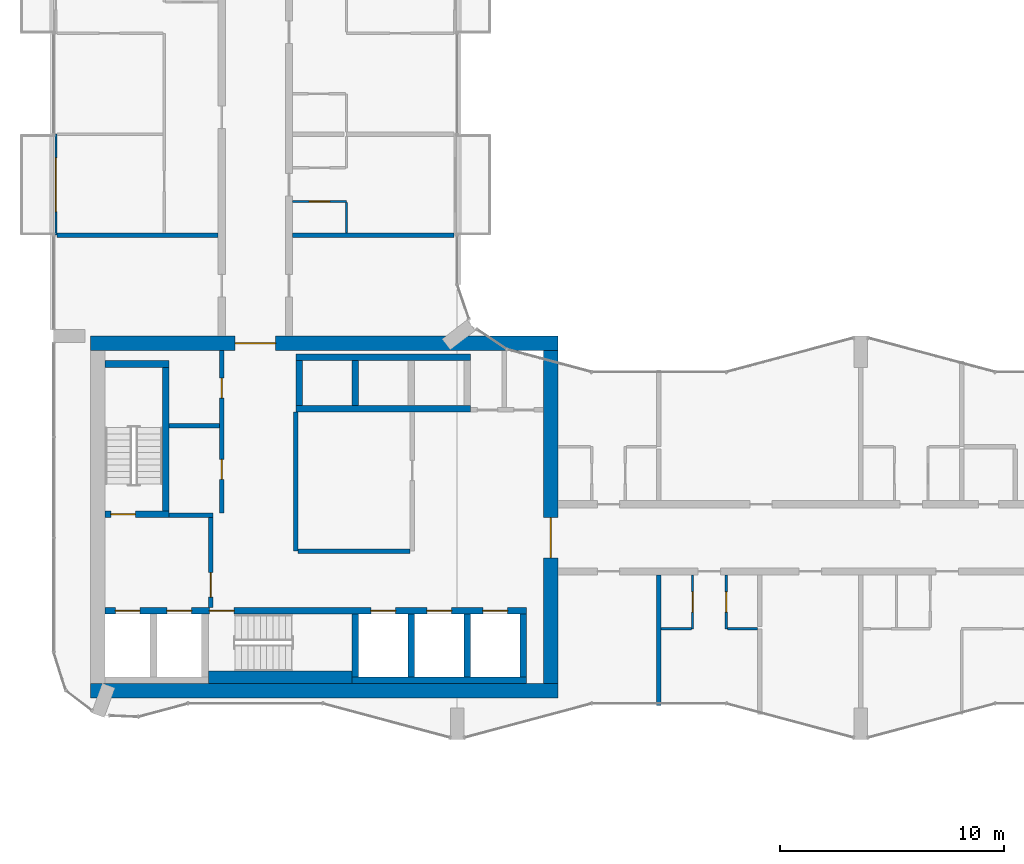
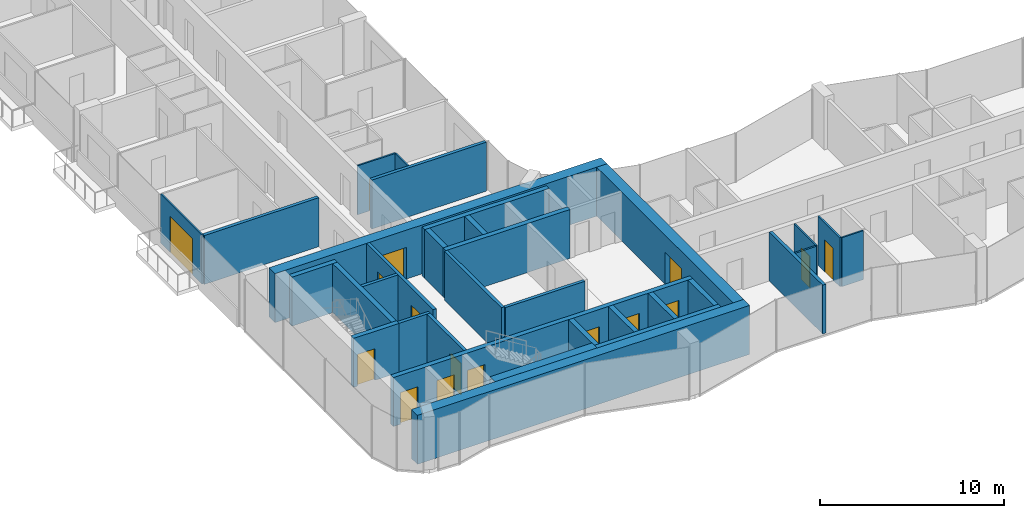
# One storey, part 13 of 22: 33 walls, 16 doors, 16 openings.
"""IFC4 building model written with IfcOpenShell, lengths in metres."""

import ifcopenshell
import ifcopenshell.guid

model = None  # the IFC model being written
_history = None  # IfcOwnerHistory: only IFC2X3 demands one
_inside = {}  # id of a spatial element -> (the spatial element, [elements in it])
_under = {}  # id of a project, library or spatial element -> (it, [spatial elements below it])
_declared = {}  # id of a project -> (the project, [libraries it declares])
_typed = {}  # id of a type object -> (the type object, [elements of that type])
_made_of = {}  # id of a material, layer set ... -> (it, [elements and type objects made of it])


def new_model(schema):
    """Start an empty IFC model of exactly this schema.

    Asked for "IFC4X3", IfcOpenShell would pick the latest addendum, in which some entities
    have other attributes; the version numbers below select the first issue.
    IFC2X3 requires an IfcOwnerHistory on every rooted entity: one is made here for all.
    """
    global model, _history
    if schema == "IFC4X3":
        model = ifcopenshell.file(schema_version=(4, 3, 0, 0))
    else:
        model = ifcopenshell.file(schema=schema)
    _inside.clear()
    _under.clear()
    _declared.clear()
    _typed.clear()
    _made_of.clear()
    _history = None
    if model.schema == "IFC2X3":
        org = make("IfcOrganization", Name="unknown")
        user = make(
            "IfcPersonAndOrganization",
            ThePerson=make("IfcPerson", FamilyName="unknown"),
            TheOrganization=org,
        )
        app = make(
            "IfcApplication",
            ApplicationDeveloper=org,
            Version="unknown",
            ApplicationFullName="unknown",
            ApplicationIdentifier="unknown",
        )
        _history = make(
            "IfcOwnerHistory",
            OwningUser=user,
            OwningApplication=app,
            ChangeAction="ADDED",
            CreationDate=0,
        )
    return model


def make(cls, **values):
    """One entity of the class cls with the attributes given. An attribute that is None is left unset."""
    return model.create_entity(
        cls, **{name: value for name, value in values.items() if value is not None}
    )


def rooted(cls, **values):
    """An entity with a GlobalId (a new one), such as an element, a storey or a relation."""
    return make(cls, GlobalId=ifcopenshell.guid.new(), OwnerHistory=_history, **values)


def si_unit(unit_type, name, prefix=None):
    """IfcSIUnit, for example si_unit("LENGTHUNIT", "METRE", prefix="MILLI")."""
    return make("IfcSIUnit", UnitType=unit_type, Prefix=prefix, Name=name)


def assignment(units):
    """IfcUnitAssignment: the units of a project."""
    return None if units is None else make("IfcUnitAssignment", Units=units)


def point(xyz):
    """IfcCartesianPoint."""
    return None if xyz is None else make("IfcCartesianPoint", Coordinates=xyz)


def direction(xyz):
    """IfcDirection."""
    return None if xyz is None else make("IfcDirection", DirectionRatios=xyz)


def frame(location, z_axis=None, x_axis=None):
    """IfcAxis2Placement3D, a coordinate frame: its origin and axes. An axis left out is left unset."""
    return make(
        "IfcAxis2Placement3D",
        Location=point(location),
        Axis=direction(z_axis),
        RefDirection=direction(x_axis),
    )


def frame_2d(location, x_axis=None):
    """IfcAxis2Placement2D, a coordinate frame in the plane: its origin and x axis."""
    return make(
        "IfcAxis2Placement2D", Location=point(location), RefDirection=direction(x_axis)
    )


def origin():
    """The frame at (0, 0, 0) with its axes left unset."""
    return frame((0.0, 0.0, 0.0))


def place(relative_to, where):
    """IfcLocalPlacement: puts the frame where relative to a parent placement (None: the world)."""
    return make(
        "IfcLocalPlacement", PlacementRelTo=relative_to, RelativePlacement=where
    )


def context(
    kind, dimensions, precision=None, world=None, true_north=None, identifier=None
):
    """IfcGeometricRepresentationContext, for example the 3D "Model" context."""
    return make(
        "IfcGeometricRepresentationContext",
        ContextIdentifier=identifier,
        ContextType=kind,
        CoordinateSpaceDimension=dimensions,
        Precision=precision,
        WorldCoordinateSystem=world,
        TrueNorth=true_north,
    )


def subcontext(parent, identifier, kind, view, scale=None):
    """IfcGeometricRepresentationSubContext, for example "Body" below "Model"."""
    return make(
        "IfcGeometricRepresentationSubContext",
        ContextIdentifier=identifier,
        ContextType=kind,
        ParentContext=parent,
        TargetScale=scale,
        TargetView=view,
    )


def project(units=None, contexts=None):
    """IfcProject with its units and contexts."""
    return rooted(
        "IfcProject",
        Name="project",
        RepresentationContexts=contexts,
        UnitsInContext=assignment(units),
    )


def spatial(cls, under=None, at=None, **own):
    """A site, building, storey or space (cls), placed at a placement, below another one or the project."""
    s = rooted(cls, ObjectPlacement=at, **own)
    if under is not None:
        _under.setdefault(under.id(), (under, []))[1].append(s)
    return s


def profile(cls, at=None, kind="AREA", **sizes):
    """A parametric profile (cls). Its sizes go by their IFC names, for example OverallWidth=200.0."""
    return make(cls, ProfileType=kind, Position=at, **sizes)


def rectangle(**sizes):
    """IfcRectangleProfileDef."""
    return profile("IfcRectangleProfileDef", **sizes)


def extrude(swept, where, along, depth):
    """IfcExtrudedAreaSolid: the profile swept, set in the frame where, extruded along a direction by depth."""
    return make(
        "IfcExtrudedAreaSolid",
        SweptArea=swept,
        Position=where,
        ExtrudedDirection=direction(along),
        Depth=depth,
    )


def shape(context_of_items, identifier, shape_type, items):
    """IfcShapeRepresentation: the items that make up one representation, for example the "Body"."""
    return make(
        "IfcShapeRepresentation",
        ContextOfItems=context_of_items,
        RepresentationIdentifier=identifier,
        RepresentationType=shape_type,
        Items=items,
    )


def material(Name=None, Category=None):
    """IfcMaterial."""
    return make("IfcMaterial", Name=Name, Category=Category)


def layer(
    of_material, thickness, ventilated=None, Name=None, Category=None, Priority=None
):
    """IfcMaterialLayer: one layer of a wall or slab, of a material (None: an air gap)."""
    return make(
        "IfcMaterialLayer",
        Material=of_material,
        LayerThickness=thickness,
        IsVentilated=ventilated,
        Name=Name,
        Category=Category,
        Priority=Priority,
    )


def layer_set(layers, Name=None):
    """IfcMaterialLayerSet."""
    return make("IfcMaterialLayerSet", MaterialLayers=layers, LayerSetName=Name)


def made_of(thing, what):
    """Note that an element or type object is made of a material, layer set ...; save() writes the relation."""
    if what is not None:
        _made_of.setdefault(what.id(), (what, []))[1].append(thing)
    return thing


def type_object(cls, material=None, **own):
    """A type object (cls), such as IfcWallType, which elements share."""
    return made_of(rooted(cls, **own), material)


def element(
    cls,
    number,
    at=None,
    inside=None,
    cuts=None,
    type_object=None,
    material=None,
    context=None,
    identifier="Body",
    shape_type=None,
    held_by="IfcProductDefinitionShape",
    body=None,
    shapes=None,
    **own,
):
    """One element of the class cls, such as IfcWall. Its Tag is "e" and its number.

    at: its placement. inside: the storey or other place that contains it. cuts: it is an
    opening in that element (IfcRelVoidsElement). A single representation is given by context,
    identifier, shape_type and body (its items); several are given by shapes. held_by: the class
    of the entity that holds the representations. save() writes the other relations.
    """
    e = rooted(cls, Tag="e%d" % number, ObjectPlacement=at, **own)
    if body is not None:
        shapes = [shape(context, identifier, shape_type, body)]
    if shapes is not None:
        e.Representation = make(held_by, Representations=shapes)
    if inside is not None:
        _inside.setdefault(inside.id(), (inside, []))[1].append(e)
    if cuts is not None:
        rooted(
            "IfcRelVoidsElement", RelatingBuildingElement=cuts, RelatedOpeningElement=e
        )
    if type_object is not None:
        _typed.setdefault(type_object.id(), (type_object, []))[1].append(e)
    return made_of(e, material)


def fill(opening, filler):
    """IfcRelFillsElement: the door or window that sits in an opening."""
    return rooted(
        "IfcRelFillsElement",
        RelatingOpeningElement=opening,
        RelatedBuildingElement=filler,
    )


def aggregate(whole, parts):
    """IfcRelAggregates: a whole, such as a stair, and the parts it consists of."""
    return rooted("IfcRelAggregates", RelatingObject=whole, RelatedObjects=parts)


def save(model, path):
    """Write the relations noted so far, then the file.

    IfcRelAggregates (storeys below a building ...), IfcRelContainedInSpatialStructure (elements
    in a storey), IfcRelDefinesByType, IfcRelAssociatesMaterial and IfcRelDeclares: one each for
    every whole, place, type object, material and project.
    """
    for whole, parts in _under.values():
        aggregate(whole, parts)
    for where, things in _inside.values():
        rooted(
            "IfcRelContainedInSpatialStructure",
            RelatedElements=things,
            RelatingStructure=where,
        )
    for kind, things in _typed.values():
        rooted("IfcRelDefinesByType", RelatedObjects=things, RelatingType=kind)
    for what, things in _made_of.values():
        rooted("IfcRelAssociatesMaterial", RelatedObjects=things, RelatingMaterial=what)
    for by, libraries in _declared.values():
        rooted("IfcRelDeclares", RelatingContext=by, RelatedDefinitions=libraries)
    model.write(path)


model = new_model("IFC4")

# Units and contexts
model_context = context("Model", 3, precision=1e-05, world=origin(), true_north=direction((0.0, 1.0)))
body_context = subcontext(model_context, "Body", "Model", "MODEL_VIEW")
ifc_project = project(units=[si_unit("LENGTHUNIT", "METRE"), si_unit("AREAUNIT", "SQUARE_METRE"), si_unit("VOLUMEUNIT", "CUBIC_METRE"), si_unit("PLANEANGLEUNIT", "RADIAN"), si_unit("MASSUNIT", "GRAM", prefix="KILO")], contexts=[model_context])

# Site, building, storey
site_placement = place(None, origin())
site = spatial("IfcSite", under=ifc_project, at=site_placement, CompositionType="ELEMENT")
building_placement = place(site_placement, origin())
building = spatial("IfcBuilding", under=site, at=building_placement, Name="Plateau Cross Towers", CompositionType="ELEMENT")
storey_placement = place(building_placement, frame((0.0, 0.0, 116.800048828125)))
storey = spatial("IfcBuildingStorey", under=building, at=storey_placement, Name="L30", CompositionType="ELEMENT", Elevation=116.800048828125)

# Wall, opening, door
ifc_material_1 = material(Name="Aluminium framed glazing", Category="aluminium")
ifc_layer_1 = layer(ifc_material_1, 0.10009765625)
ifc_layer_set_1 = layer_set([ifc_layer_1], Name="Aluminium framed glazing")
wall_type_1 = type_object("IfcWallType", Name="Balcony screen wall 100", PredefinedType="STANDARD", material=ifc_layer_set_1)
wall_1_placement = place(storey_placement, frame((0.10009765625, 22.5, 0.0), z_axis=(0.0, 0.0, 1.0), x_axis=(0.0, 1.0, 0.0)))
wall_1 = element("IfcWall", 1, at=wall_1_placement, inside=storey, type_object=wall_type_1, Name="Balcony screen wall A-BAL-L30-01", PredefinedType="STANDARD", context=body_context, shape_type="SweptSolid", body=[
    extrude(rectangle(XDim=4.5, YDim=0.10009765625, at=frame_2d((2.25, 0.0))), origin(), (0.0, 0.0, 1.0), 3.25),
])
opening_1_placement = place(wall_1_placement, frame((1.050048828125, 0.0, 0.0)))
opening_1 = element("IfcOpeningElement", 2, at=opening_1_placement, cuts=wall_1, Name="Opening D-B24", PredefinedType="OPENING", context=body_context, shape_type="SweptSolid", body=[
    extrude(rectangle(XDim=2.39990234375, YDim=2.39990234375, at=frame_2d((1.199951171875, 1.199951171875))), frame((0.0, 0.06005859375, 0.0), z_axis=(0.0, -1.0, 0.0), x_axis=(1.0, 0.0, 0.0)), (0.0, 0.0, 1.0), 0.1201171875),
])
ifc_material_2 = material(Name="Aluminium frame, double glazing", Category="aluminium")
door_type_1 = type_object("IfcDoorType", Name="Balcony sliding door 2400", OperationType="NOTDEFINED", PredefinedType="DOOR", material=ifc_material_2)
door_1_placement = place(opening_1_placement, origin())
door_1 = element("IfcDoor", 3, at=door_1_placement, inside=storey, type_object=door_type_1, Name="Balcony door A-BAL-L30-01", OperationType="SINGLE_SWING_LEFT", OverallHeight=2.39990234375, OverallWidth=2.39990234375, PredefinedType="DOOR", context=body_context, shape_type="SweptSolid", body=[
    extrude(rectangle(XDim=2.39990234375, YDim=2.39990234375, at=frame_2d((1.199951171875, 1.199951171875))), frame((0.0, 0.02490234375, 0.0), z_axis=(0.0, -1.0, 0.0), x_axis=(1.0, 0.0, 0.0)), (0.0, 0.0, 1.0), 0.050048828125),
])
fill(opening_1, door_1)

ifc_material_3 = material(Name="Concrete block, plastered both sides", Category="concrete")
ifc_layer_2 = layer(ifc_material_3, 0.199951171875)
ifc_layer_set_2 = layer_set([ifc_layer_2], Name="Concrete block, plastered both sides")
wall_type_2 = type_object("IfcWallType", Name="Core partition 200", PredefinedType="PARTITIONING", material=ifc_layer_set_2)
wall_2_placement = place(storey_placement, frame((7.0, 5.89990234375, 0.0), z_axis=(0.0, 0.0, 1.0), x_axis=(0.0, 1.0, 0.0)))
wall_2 = element("IfcWall", 4, at=wall_2_placement, inside=storey, type_object=wall_type_2, Name="Core partition", PredefinedType="PARTITIONING", context=body_context, shape_type="SweptSolid", body=[
    extrude(rectangle(XDim=4.0, YDim=0.199951171875, at=frame_2d((2.0, 0.0))), origin(), (0.0, 0.0, 1.0), 3.25),
])
opening_2_placement = place(wall_2_placement, frame((0.449951171875, 0.0, 0.0)))
opening_2 = element("IfcOpeningElement", 5, at=opening_2_placement, cuts=wall_2, Name="Opening FFD", PredefinedType="OPENING", context=body_context, shape_type="SweptSolid", body=[
    extrude(rectangle(XDim=1.10009765625, YDim=2.10009765625, at=frame_2d((0.550048828125, 1.050048828125))), frame((0.0, 0.10986328125, 0.0), z_axis=(0.0, -1.0, 0.0), x_axis=(1.0, 0.0, 0.0)), (0.0, 0.0, 1.0), 0.219970703125),
])
ifc_material_4 = material(Name="Steel, fire-resisting leaf", Category="steel")
door_type_2 = type_object("IfcDoorType", Name="Firefighting lobby door 1100", OperationType="NOTDEFINED", PredefinedType="DOOR", material=ifc_material_4)
door_2_placement = place(opening_2_placement, origin())
door_2 = element("IfcDoor", 6, at=door_2_placement, inside=storey, type_object=door_type_2, Name="Firefighting lobby door FFD", OperationType="SINGLE_SWING_LEFT", OverallHeight=2.10009765625, OverallWidth=1.10009765625, PredefinedType="DOOR", context=body_context, shape_type="SweptSolid", body=[
    extrude(rectangle(XDim=1.10009765625, YDim=2.10009765625, at=frame_2d((0.550048828125, 1.050048828125))), frame((0.0, 0.02490234375, 0.0), z_axis=(0.0, -1.0, 0.0), x_axis=(1.0, 0.0, 0.0)), (0.0, 0.0, 1.0), 0.050048828125),
])
fill(opening_2, door_2)

# Walls
wall_3_placement = place(storey_placement, frame((5.14990234375, 10.0, 0.0), z_axis=(0.0, 0.0, 1.0), x_axis=(1.0, 0.0, 0.0)))
element("IfcWall", 7, at=wall_3_placement, inside=storey, type_object=wall_type_2, Name="Core partition", PredefinedType="PARTITIONING", context=body_context, shape_type="SweptSolid", body=[
    extrude(rectangle(XDim=1.9501953125, YDim=0.199951171875, at=frame_2d((0.97509765625, 0.0))), origin(), (0.0, 0.0, 1.0), 3.25),
])
wall_4_placement = place(storey_placement, frame((10.800048828125, 8.39990234375, 0.0), z_axis=(0.0, 0.0, 1.0), x_axis=(0.0, 1.0, 0.0)))
element("IfcWall", 8, at=wall_4_placement, inside=storey, type_object=wall_type_2, Name="Core partition", PredefinedType="PARTITIONING", context=body_context, shape_type="SweptSolid", body=[
    extrude(rectangle(XDim=6.2001953125, YDim=0.199951171875, at=frame_2d((3.10009765625, 0.0))), origin(), (0.0, 0.0, 1.0), 3.25),
])
wall_5_placement = place(storey_placement, frame((10.89990234375, 8.39990234375, 0.0), z_axis=(0.0, 0.0, 1.0), x_axis=(1.0, 0.0, 0.0)))
element("IfcWall", 9, at=wall_5_placement, inside=storey, type_object=wall_type_2, Name="Core partition", PredefinedType="PARTITIONING", context=body_context, shape_type="SweptSolid", body=[
    extrude(rectangle(XDim=5.0, YDim=0.199951171875, at=frame_2d((2.5, 0.0))), origin(), (0.0, 0.0, 1.0), 3.25),
])

# Wall, openings, doors
wall_6_placement = place(storey_placement, frame((7.5, 10.10009765625, 0.0), z_axis=(0.0, 0.0, 1.0), x_axis=(0.0, 1.0, 0.0)))
wall_6 = element("IfcWall", 10, at=wall_6_placement, inside=storey, type_object=wall_type_2, Name="Core partition", PredefinedType="PARTITIONING", context=body_context, shape_type="SweptSolid", body=[
    extrude(rectangle(XDim=7.25, YDim=0.199951171875, at=frame_2d((3.625, 0.0))), origin(), (0.0, 0.0, 1.0), 3.25),
])
opening_3_placement = place(wall_6_placement, frame((1.5, 0.0, 0.0)))
opening_3 = element("IfcOpeningElement", 11, at=opening_3_placement, cuts=wall_6, Name="Opening RD1", PredefinedType="OPENING", context=body_context, shape_type="SweptSolid", body=[
    extrude(rectangle(XDim=0.89990234375, YDim=2.10009765625, at=frame_2d((0.449951171875, 1.050048828125))), frame((0.0, 0.10986328125, 0.0), z_axis=(0.0, -1.0, 0.0), x_axis=(1.0, 0.0, 0.0)), (0.0, 0.0, 1.0), 0.219970703125),
])
opening_4_placement = place(wall_6_placement, frame((5.125, 0.0, 0.0)))
opening_4 = element("IfcOpeningElement", 12, at=opening_4_placement, cuts=wall_6, Name="Opening RD1", PredefinedType="OPENING", context=body_context, shape_type="SweptSolid", body=[
    extrude(rectangle(XDim=0.89990234375, YDim=2.10009765625, at=frame_2d((0.449951171875, 1.050048828125))), frame((0.0, 0.10986328125, 0.0), z_axis=(0.0, -1.0, 0.0), x_axis=(1.0, 0.0, 0.0)), (0.0, 0.0, 1.0), 0.219970703125),
])
ifc_material_5 = material(Name="Timber, fire-resisting leaf", Category="wood")
door_type_3 = type_object("IfcDoorType", Name="Core service door 900", OperationType="NOTDEFINED", PredefinedType="DOOR", material=ifc_material_5)
door_3_placement = place(opening_3_placement, origin())
door_3 = element("IfcDoor", 13, at=door_3_placement, inside=storey, type_object=door_type_3, Name="Core service door RD1", OperationType="SINGLE_SWING_RIGHT", OverallHeight=2.10009765625, OverallWidth=0.89990234375, PredefinedType="DOOR", context=body_context, shape_type="SweptSolid", body=[
    extrude(rectangle(XDim=0.89990234375, YDim=2.10009765625, at=frame_2d((0.449951171875, 1.050048828125))), frame((0.0, 0.02490234375, 0.0), z_axis=(0.0, -1.0, 0.0), x_axis=(1.0, 0.0, 0.0)), (0.0, 0.0, 1.0), 0.050048828125),
])
fill(opening_3, door_3)
door_4_placement = place(opening_4_placement, origin())
door_4 = element("IfcDoor", 14, at=door_4_placement, inside=storey, type_object=door_type_3, Name="Core service door RD1", OperationType="SINGLE_SWING_RIGHT", OverallHeight=2.10009765625, OverallWidth=0.89990234375, PredefinedType="DOOR", context=body_context, shape_type="SweptSolid", body=[
    extrude(rectangle(XDim=0.89990234375, YDim=2.10009765625, at=frame_2d((0.449951171875, 1.050048828125))), frame((0.0, 0.02490234375, 0.0), z_axis=(0.0, -1.0, 0.0), x_axis=(1.0, 0.0, 0.0)), (0.0, 0.0, 1.0), 0.050048828125),
])
fill(opening_4, door_4)

# Walls
wall_7_placement = place(storey_placement, frame((5.14990234375, 14.0, 0.0), z_axis=(0.0, 0.0, 1.0), x_axis=(1.0, 0.0, 0.0)))
element("IfcWall", 15, at=wall_7_placement, inside=storey, type_object=wall_type_2, Name="Core partition", PredefinedType="PARTITIONING", context=body_context, shape_type="SweptSolid", body=[
    extrude(rectangle(XDim=2.25, YDim=0.199951171875, at=frame_2d((1.125, 0.0))), origin(), (0.0, 0.0, 1.0), 3.25),
])
ifc_material_6 = material(Name="Concrete C60/75", Category="concrete")
ifc_layer_3 = layer(ifc_material_6, 0.300048828125)
ifc_layer_set_3 = layer_set([ifc_layer_3], Name="Concrete C60/75")
wall_type_3 = type_object("IfcWallType", Name="Core shaft wall 300", PredefinedType="SHEAR", material=ifc_layer_set_3)
wall_8_placement = place(storey_placement, frame((13.300048828125, 2.64990234375, 0.0), z_axis=(0.0, 0.0, 1.0), x_axis=(1.0, 0.0, 0.0)))
element("IfcWall", 16, at=wall_8_placement, inside=storey, type_object=wall_type_3, Name="A-sb-back3@L30", PredefinedType="SHEAR", context=body_context, shape_type="SweptSolid", body=[
    extrude(rectangle(XDim=7.800048828125, YDim=0.300048828125, at=frame_2d((3.89990234375, 0.0))), origin(), (0.0, 0.0, 1.0), 3.25),
])
for number, where, z_axis, x_axis, name in (
    (17, (13.449951171875, 2.800048828125, 0.0), (0.0, 0.0, 1.0), (0.0, 1.0, 0.0), "A-sb-v3@L30"),
    (18, (15.949951171875, 2.800048828125, 0.0), (0.0, 0.0, 1.0), (0.0, 1.0, 0.0), "A-sb-v4@L30"),
    (19, (18.449951171875, 2.800048828125, 0.0), (0.0, 0.0, 1.0), (0.0, 1.0, 0.0), "A-sb-v5@L30"),
    (20, (20.949951171875, 2.800048828125, 0.0), (0.0, 0.0, 1.0), (0.0, 1.0, 0.0), "A-sb-v6@L30"),
):
    element("IfcWall", number, at=place(storey_placement, frame(where, z_axis=z_axis, x_axis=x_axis)), inside=storey, type_object=wall_type_3, Name=name, PredefinedType="SHEAR", context=body_context, shape_type="SweptSolid", body=[
        extrude(rectangle(XDim=2.800048828125, YDim=0.300048828125, at=frame_2d((1.39990234375, 0.0))), origin(), (0.0, 0.0, 1.0), 3.25),
    ])

# Wall, openings, doors
wall_9_placement = place(storey_placement, frame((2.300048828125, 5.75, 0.0), z_axis=(0.0, 0.0, 1.0), x_axis=(1.0, 0.0, 0.0)))
wall_9 = element("IfcWall", 21, at=wall_9_placement, inside=storey, type_object=wall_type_3, Name="A-sb-front@L30", PredefinedType="SHEAR", context=body_context, shape_type="SweptSolid", body=[
    extrude(rectangle(XDim=18.800048828125, YDim=0.300048828125, at=frame_2d((9.39990234375, 0.0))), origin(), (0.0, 0.0, 1.0), 3.25),
])
opening_5_placement = place(wall_9_placement, frame((4.64990234375, 0.0, 0.0)))
opening_5 = element("IfcOpeningElement", 22, at=opening_5_placement, cuts=wall_9, Name="Opening SD", PredefinedType="OPENING", context=body_context, shape_type="SweptSolid", body=[
    extrude(rectangle(XDim=1.10009765625, YDim=2.10009765625, at=frame_2d((0.550048828125, 1.050048828125))), frame((0.0, 0.159912109375, 0.0), z_axis=(0.0, -1.0, 0.0), x_axis=(1.0, 0.0, 0.0)), (0.0, 0.0, 1.0), 0.320068359375),
])
opening_6_placement = place(wall_9_placement, frame((0.449951171875, 0.0, 0.0)))
opening_6 = element("IfcOpeningElement", 23, at=opening_6_placement, cuts=wall_9, Name="Opening LD", PredefinedType="OPENING", context=body_context, shape_type="SweptSolid", body=[
    extrude(rectangle(XDim=1.10009765625, YDim=2.10009765625, at=frame_2d((0.550048828125, 1.050048828125))), frame((0.0, 0.159912109375, 0.0), z_axis=(0.0, -1.0, 0.0), x_axis=(1.0, 0.0, 0.0)), (0.0, 0.0, 1.0), 0.320068359375),
])
opening_7_placement = place(wall_9_placement, frame((2.75, 0.0, 0.0)))
opening_7 = element("IfcOpeningElement", 24, at=opening_7_placement, cuts=wall_9, Name="Opening LD", PredefinedType="OPENING", context=body_context, shape_type="SweptSolid", body=[
    extrude(rectangle(XDim=1.10009765625, YDim=2.10009765625, at=frame_2d((0.550048828125, 1.050048828125))), frame((0.0, 0.159912109375, 0.0), z_axis=(0.0, -1.0, 0.0), x_axis=(1.0, 0.0, 0.0)), (0.0, 0.0, 1.0), 0.320068359375),
])
opening_8_placement = place(wall_9_placement, frame((11.85009765625, 0.0, 0.0)))
opening_8 = element("IfcOpeningElement", 25, at=opening_8_placement, cuts=wall_9, Name="Opening LD", PredefinedType="OPENING", context=body_context, shape_type="SweptSolid", body=[
    extrude(rectangle(XDim=1.10009765625, YDim=2.10009765625, at=frame_2d((0.550048828125, 1.050048828125))), frame((0.0, 0.159912109375, 0.0), z_axis=(0.0, -1.0, 0.0), x_axis=(1.0, 0.0, 0.0)), (0.0, 0.0, 1.0), 0.320068359375),
])
opening_9_placement = place(wall_9_placement, frame((14.35009765625, 0.0, 0.0)))
opening_9 = element("IfcOpeningElement", 26, at=opening_9_placement, cuts=wall_9, Name="Opening LD", PredefinedType="OPENING", context=body_context, shape_type="SweptSolid", body=[
    extrude(rectangle(XDim=1.10009765625, YDim=2.10009765625, at=frame_2d((0.550048828125, 1.050048828125))), frame((0.0, 0.159912109375, 0.0), z_axis=(0.0, -1.0, 0.0), x_axis=(1.0, 0.0, 0.0)), (0.0, 0.0, 1.0), 0.320068359375),
])
opening_10_placement = place(wall_9_placement, frame((16.85009765625, 0.0, 0.0)))
opening_10 = element("IfcOpeningElement", 27, at=opening_10_placement, cuts=wall_9, Name="Opening LD", PredefinedType="OPENING", context=body_context, shape_type="SweptSolid", body=[
    extrude(rectangle(XDim=1.10009765625, YDim=2.10009765625, at=frame_2d((0.550048828125, 1.050048828125))), frame((0.0, 0.159912109375, 0.0), z_axis=(0.0, -1.0, 0.0), x_axis=(1.0, 0.0, 0.0)), (0.0, 0.0, 1.0), 0.320068359375),
])
ifc_material_7 = material(Name="Stainless steel, fire-resisting sliding leaves", Category="steel")
door_type_4 = type_object("IfcDoorType", Name="Lift landing door 1100", OperationType="NOTDEFINED", PredefinedType="DOOR", material=ifc_material_7)
door_5_placement = place(opening_6_placement, origin())
door_5 = element("IfcDoor", 28, at=door_5_placement, inside=storey, type_object=door_type_4, Name="Lift landing door LD", OperationType="DOUBLE_DOOR_SLIDING", OverallHeight=2.10009765625, OverallWidth=1.10009765625, PredefinedType="DOOR", context=body_context, shape_type="SweptSolid", body=[
    extrude(rectangle(XDim=1.10009765625, YDim=2.10009765625, at=frame_2d((0.550048828125, 1.050048828125))), frame((0.0, 0.02490234375, 0.0), z_axis=(0.0, -1.0, 0.0), x_axis=(1.0, 0.0, 0.0)), (0.0, 0.0, 1.0), 0.050048828125),
])
fill(opening_6, door_5)
door_6_placement = place(opening_7_placement, origin())
door_6 = element("IfcDoor", 29, at=door_6_placement, inside=storey, type_object=door_type_4, Name="Lift landing door LD", OperationType="DOUBLE_DOOR_SLIDING", OverallHeight=2.10009765625, OverallWidth=1.10009765625, PredefinedType="DOOR", context=body_context, shape_type="SweptSolid", body=[
    extrude(rectangle(XDim=1.10009765625, YDim=2.10009765625, at=frame_2d((0.550048828125, 1.050048828125))), frame((0.0, 0.02490234375, 0.0), z_axis=(0.0, -1.0, 0.0), x_axis=(1.0, 0.0, 0.0)), (0.0, 0.0, 1.0), 0.050048828125),
])
fill(opening_7, door_6)
door_7_placement = place(opening_8_placement, origin())
door_7 = element("IfcDoor", 30, at=door_7_placement, inside=storey, type_object=door_type_4, Name="Lift landing door LD", OperationType="DOUBLE_DOOR_SLIDING", OverallHeight=2.10009765625, OverallWidth=1.10009765625, PredefinedType="DOOR", context=body_context, shape_type="SweptSolid", body=[
    extrude(rectangle(XDim=1.10009765625, YDim=2.10009765625, at=frame_2d((0.550048828125, 1.050048828125))), frame((0.0, 0.02490234375, 0.0), z_axis=(0.0, -1.0, 0.0), x_axis=(1.0, 0.0, 0.0)), (0.0, 0.0, 1.0), 0.050048828125),
])
fill(opening_8, door_7)
door_8_placement = place(opening_9_placement, origin())
door_8 = element("IfcDoor", 31, at=door_8_placement, inside=storey, type_object=door_type_4, Name="Lift landing door LD", OperationType="DOUBLE_DOOR_SLIDING", OverallHeight=2.10009765625, OverallWidth=1.10009765625, PredefinedType="DOOR", context=body_context, shape_type="SweptSolid", body=[
    extrude(rectangle(XDim=1.10009765625, YDim=2.10009765625, at=frame_2d((0.550048828125, 1.050048828125))), frame((0.0, 0.02490234375, 0.0), z_axis=(0.0, -1.0, 0.0), x_axis=(1.0, 0.0, 0.0)), (0.0, 0.0, 1.0), 0.050048828125),
])
fill(opening_9, door_8)
door_9_placement = place(opening_10_placement, origin())
door_9 = element("IfcDoor", 32, at=door_9_placement, inside=storey, type_object=door_type_4, Name="Lift landing door LD", OperationType="DOUBLE_DOOR_SLIDING", OverallHeight=2.10009765625, OverallWidth=1.10009765625, PredefinedType="DOOR", context=body_context, shape_type="SweptSolid", body=[
    extrude(rectangle(XDim=1.10009765625, YDim=2.10009765625, at=frame_2d((0.550048828125, 1.050048828125))), frame((0.0, 0.02490234375, 0.0), z_axis=(0.0, -1.0, 0.0), x_axis=(1.0, 0.0, 0.0)), (0.0, 0.0, 1.0), 0.050048828125),
])
fill(opening_10, door_9)
door_type_5 = type_object("IfcDoorType", Name="Stair door 1100", OperationType="NOTDEFINED", PredefinedType="DOOR", material=ifc_material_4)
door_10_placement = place(opening_5_placement, origin())
door_10 = element("IfcDoor", 33, at=door_10_placement, inside=storey, type_object=door_type_5, Name="Stair door SD", OperationType="SINGLE_SWING_LEFT", OverallHeight=2.10009765625, OverallWidth=1.10009765625, PredefinedType="DOOR", context=body_context, shape_type="SweptSolid", body=[
    extrude(rectangle(XDim=1.10009765625, YDim=2.10009765625, at=frame_2d((0.550048828125, 1.050048828125))), frame((0.0, 0.02490234375, 0.0), z_axis=(0.0, -1.0, 0.0), x_axis=(1.0, 0.0, 0.0)), (0.0, 0.0, 1.0), 0.050048828125),
])
fill(opening_5, door_10)

# Wall, opening, door
wall_10_placement = place(storey_placement, frame((2.300048828125, 10.050048828125, 0.0), z_axis=(0.0, 0.0, 1.0), x_axis=(1.0, 0.0, 0.0)))
wall_10 = element("IfcWall", 34, at=wall_10_placement, inside=storey, type_object=wall_type_3, Name="A-st1-S@L30", PredefinedType="SHEAR", context=body_context, shape_type="SweptSolid", body=[
    extrude(rectangle(XDim=2.849853515625, YDim=0.300048828125, at=frame_2d((1.4248046875, 0.0))), origin(), (0.0, 0.0, 1.0), 3.25),
])
opening_11_placement = place(wall_10_placement, frame((0.25, 0.0, 0.0)))
opening_11 = element("IfcOpeningElement", 35, at=opening_11_placement, cuts=wall_10, Name="Opening SD", PredefinedType="OPENING", context=body_context, shape_type="SweptSolid", body=[
    extrude(rectangle(XDim=1.10009765625, YDim=2.10009765625, at=frame_2d((0.550048828125, 1.050048828125))), frame((0.0, 0.159912109375, 0.0), z_axis=(0.0, -1.0, 0.0), x_axis=(1.0, 0.0, 0.0)), (0.0, 0.0, 1.0), 0.320068359375),
])
door_11_placement = place(opening_11_placement, origin())
door_11 = element("IfcDoor", 36, at=door_11_placement, inside=storey, type_object=door_type_5, Name="Stair door SD", OperationType="SINGLE_SWING_RIGHT", OverallHeight=2.10009765625, OverallWidth=1.10009765625, PredefinedType="DOOR", context=body_context, shape_type="SweptSolid", body=[
    extrude(rectangle(XDim=1.10009765625, YDim=2.10009765625, at=frame_2d((0.550048828125, 1.050048828125))), frame((0.0, 0.02490234375, 0.0), z_axis=(0.0, -1.0, 0.0), x_axis=(1.0, 0.0, 0.0)), (0.0, 0.0, 1.0), 0.050048828125),
])
fill(opening_11, door_11)

# Walls
wall_11_placement = place(storey_placement, frame((5.0, 10.199951171875, 0.0), z_axis=(0.0, 0.0, 1.0), x_axis=(0.0, 1.0, 0.0)))
element("IfcWall", 37, at=wall_11_placement, inside=storey, type_object=wall_type_3, Name="A-st1-E@L30", PredefinedType="SHEAR", context=body_context, shape_type="SweptSolid", body=[
    extrude(rectangle(XDim=6.400146484375, YDim=0.300048828125, at=frame_2d((3.2001953125, 0.0))), origin(), (0.0, 0.0, 1.0), 3.25),
])
wall_12_placement = place(storey_placement, frame((2.300048828125, 16.75, 0.0), z_axis=(0.0, 0.0, 1.0), x_axis=(1.0, 0.0, 0.0)))
element("IfcWall", 38, at=wall_12_placement, inside=storey, type_object=wall_type_3, Name="A-st1-N@L30", PredefinedType="SHEAR", context=body_context, shape_type="SweptSolid", body=[
    extrude(rectangle(XDim=2.849853515625, YDim=0.300048828125, at=frame_2d((1.4248046875, 0.0))), origin(), (0.0, 0.0, 1.0), 3.25),
])
for number, where, z_axis, x_axis, name in (
    (39, (10.800048828125, 17.050048828125, 0.0), (0.0, 0.0, 1.0), (1.0, 0.0, 0.0), "A-nb-back@L30"),
    (40, (10.800048828125, 14.75, 0.0), (0.0, 0.0, 1.0), (1.0, 0.0, 0.0), "A-nb-front@L30"),
):
    element("IfcWall", number, at=place(storey_placement, frame(where, z_axis=z_axis, x_axis=x_axis)), inside=storey, type_object=wall_type_3, Name=name, PredefinedType="SHEAR", context=body_context, shape_type="SweptSolid", body=[
        extrude(rectangle(XDim=7.800048828125, YDim=0.300048828125, at=frame_2d((3.89990234375, 0.0))), origin(), (0.0, 0.0, 1.0), 3.25),
    ])
for number, where, z_axis, x_axis, name in (
    (41, (10.949951171875, 14.89990234375, 0.0), (0.0, 0.0, 1.0), (0.0, 1.0, 0.0), "A-nb-v1@L30"),
    (42, (13.449951171875, 14.89990234375, 0.0), (0.0, 0.0, 1.0), (0.0, 1.0, 0.0), "A-nb-v2@L30"),
):
    element("IfcWall", number, at=place(storey_placement, frame(where, z_axis=z_axis, x_axis=x_axis)), inside=storey, type_object=wall_type_3, Name=name, PredefinedType="SHEAR", context=body_context, shape_type="SweptSolid", body=[
        extrude(rectangle(XDim=2.0, YDim=0.300048828125, at=frame_2d((1.0, 0.0))), origin(), (0.0, 0.0, 1.0), 3.25),
    ])
ifc_layer_4 = layer(ifc_material_6, 0.550048828125)
ifc_layer_set_4 = layer_set([ifc_layer_4], Name="Concrete C60/75")
wall_type_4 = type_object("IfcWallType", Name="Core shaft wall 550", PredefinedType="SHEAR", material=ifc_layer_set_4)
wall_13_placement = place(storey_placement, frame((6.89990234375, 2.77490234375, 0.0), z_axis=(0.0, 0.0, 1.0), x_axis=(1.0, 0.0, 0.0)))
element("IfcWall", 43, at=wall_13_placement, inside=storey, type_object=wall_type_4, Name="A-sb-back2@L30", PredefinedType="SHEAR", context=body_context, shape_type="SweptSolid", body=[
    extrude(rectangle(XDim=6.400146484375, YDim=0.550048828125, at=frame_2d((3.2001953125, 0.0))), origin(), (0.0, 0.0, 1.0), 3.25),
])
ifc_layer_5 = layer(ifc_material_6, 0.64990234375)
ifc_layer_set_5 = layer_set([ifc_layer_5], Name="Concrete C60/75")
wall_type_5 = type_object("IfcWallType", Name="Core shell wall 650", PredefinedType="SHEAR", material=ifc_layer_set_5)
wall_14_placement = place(storey_placement, frame((1.64990234375, 2.175048828125, 0.0), z_axis=(0.0, 0.0, 1.0), x_axis=(1.0, 0.0, 0.0)))
element("IfcWall", 44, at=wall_14_placement, inside=storey, type_object=wall_type_5, Name="A-core-S@L30", PredefinedType="SHEAR", context=body_context, shape_type="SweptSolid", body=[
    extrude(rectangle(XDim=20.85009765625, YDim=0.64990234375, at=frame_2d((10.425048828125, 0.0))), origin(), (0.0, 0.0, 1.0), 3.25),
])

# Wall, opening, door
wall_15_placement = place(storey_placement, frame((1.64990234375, 17.675048828125, 0.0), z_axis=(0.0, 0.0, 1.0), x_axis=(1.0, 0.0, 0.0)))
wall_15 = element("IfcWall", 45, at=wall_15_placement, inside=storey, type_object=wall_type_5, Name="A-core-N@L30", PredefinedType="SHEAR", context=body_context, shape_type="SweptSolid", body=[
    extrude(rectangle(XDim=20.85009765625, YDim=0.64990234375, at=frame_2d((10.425048828125, 0.0))), origin(), (0.0, 0.0, 1.0), 3.25),
])
opening_12_placement = place(wall_15_placement, frame((6.449951171875, 0.0, 0.0)))
opening_12 = element("IfcOpeningElement", 46, at=opening_12_placement, cuts=wall_15, Name="Opening CD", PredefinedType="OPENING", context=body_context, shape_type="SweptSolid", body=[
    extrude(rectangle(XDim=1.800048828125, YDim=2.10009765625, at=frame_2d((0.89990234375, 1.050048828125))), frame((0.0, 0.3349609375, 0.0), z_axis=(0.0, -1.0, 0.0), x_axis=(1.0, 0.0, 0.0)), (0.0, 0.0, 1.0), 0.669921875),
])
ifc_material_8 = material(Name="Steel, fire-resisting leaves", Category="steel")
door_type_6 = type_object("IfcDoorType", Name="Corridor door pair 1800", OperationType="NOTDEFINED", PredefinedType="DOOR", material=ifc_material_8)
door_12_placement = place(opening_12_placement, origin())
door_12 = element("IfcDoor", 47, at=door_12_placement, inside=storey, type_object=door_type_6, Name="Corridor door pair CD", OperationType="DOUBLE_DOOR_SINGLE_SWING", OverallHeight=2.10009765625, OverallWidth=1.800048828125, PredefinedType="DOOR", context=body_context, shape_type="SweptSolid", body=[
    extrude(rectangle(XDim=1.800048828125, YDim=2.10009765625, at=frame_2d((0.89990234375, 1.050048828125))), frame((0.0, 0.02490234375, 0.0), z_axis=(0.0, -1.0, 0.0), x_axis=(1.0, 0.0, 0.0)), (0.0, 0.0, 1.0), 0.050048828125),
])
fill(opening_12, door_12)

wall_16_placement = place(storey_placement, frame((22.175048828125, 2.5, 0.0), z_axis=(0.0, 0.0, 1.0), x_axis=(0.0, 1.0, 0.0)))
wall_16 = element("IfcWall", 48, at=wall_16_placement, inside=storey, type_object=wall_type_5, Name="A-core-E@L30", PredefinedType="SHEAR", context=body_context, shape_type="SweptSolid", body=[
    extrude(rectangle(XDim=14.85009765625, YDim=0.64990234375, at=frame_2d((7.425048828125, 0.0))), origin(), (0.0, 0.0, 1.0), 3.25),
])
opening_13_placement = place(wall_16_placement, frame((5.60009765625, 0.0, 0.0)))
opening_13 = element("IfcOpeningElement", 49, at=opening_13_placement, cuts=wall_16, Name="Opening CD", PredefinedType="OPENING", context=body_context, shape_type="SweptSolid", body=[
    extrude(rectangle(XDim=1.800048828125, YDim=2.10009765625, at=frame_2d((0.89990234375, 1.050048828125))), frame((0.0, 0.3349609375, 0.0), z_axis=(0.0, -1.0, 0.0), x_axis=(1.0, 0.0, 0.0)), (0.0, 0.0, 1.0), 0.669921875),
])
door_13_placement = place(opening_13_placement, origin())
door_13 = element("IfcDoor", 50, at=door_13_placement, inside=storey, type_object=door_type_6, Name="Corridor door pair CD", OperationType="DOUBLE_DOOR_SINGLE_SWING", OverallHeight=2.10009765625, OverallWidth=1.800048828125, PredefinedType="DOOR", context=body_context, shape_type="SweptSolid", body=[
    extrude(rectangle(XDim=1.800048828125, YDim=2.10009765625, at=frame_2d((0.89990234375, 1.050048828125))), frame((0.0, 0.02490234375, 0.0), z_axis=(0.0, -1.0, 0.0), x_axis=(1.0, 0.0, 0.0)), (0.0, 0.0, 1.0), 0.050048828125),
])
fill(opening_13, door_13)

# Walls
ifc_material_9 = material(Name="Gypsum board on steel studs", Category="steel")
ifc_layer_6 = layer(ifc_material_9, 0.10009765625)
ifc_layer_set_6 = layer_set([ifc_layer_6], Name="Gypsum board on steel studs")
wall_type_6 = type_object("IfcWallType", Name="Flat partition 100", PredefinedType="PARTITIONING", material=ifc_layer_set_6)
for number, where, z_axis, x_axis, name in (
    (51, (27.10009765625, 4.9375, 0.0), (0.0, 0.0, 1.0), (1.0, 0.0, 0.0), "Partition wall"),
    (52, (30.050048828125, 4.9375, 0.0), (0.0, 0.0, 1.0), (1.0, 0.0, 0.0), "Partition wall"),
):
    element("IfcWall", number, at=place(storey_placement, frame(where, z_axis=z_axis, x_axis=x_axis)), inside=storey, type_object=wall_type_6, Name=name, PredefinedType="PARTITIONING", context=body_context, shape_type="SweptSolid", body=[
        extrude(rectangle(XDim=1.349853515625, YDim=0.10009765625, at=frame_2d((0.6748046875, 0.0))), origin(), (0.0, 0.0, 1.0), 3.25),
    ])

# Wall, opening, door
wall_17_placement = place(storey_placement, frame((13.0625, 24.0, 0.0), z_axis=(0.0, 0.0, 1.0), x_axis=(-1.0, 0.0, 0.0)))
wall_17 = element("IfcWall", 53, at=wall_17_placement, inside=storey, type_object=wall_type_6, Name="Partition wall", PredefinedType="PARTITIONING", context=body_context, shape_type="SweptSolid", body=[
    extrude(rectangle(XDim=2.39990234375, YDim=0.10009765625, at=frame_2d((1.199951171875, 0.0))), origin(), (0.0, 0.0, 1.0), 3.25),
])
opening_14_placement = place(wall_17_placement, frame((0.75, 0.0, 0.0)))
opening_14 = element("IfcOpeningElement", 54, at=opening_14_placement, cuts=wall_17, Name="Opening 30-39", PredefinedType="OPENING", context=body_context, shape_type="SweptSolid", body=[
    extrude(rectangle(XDim=0.89990234375, YDim=2.10009765625, at=frame_2d((0.449951171875, 1.050048828125))), frame((0.0, 0.06005859375, 0.0), z_axis=(0.0, -1.0, 0.0), x_axis=(1.0, 0.0, 0.0)), (0.0, 0.0, 1.0), 0.1201171875),
])
ifc_material_10 = material(Name="Timber leaf", Category="wood")
door_type_7 = type_object("IfcDoorType", Name="Flat room door 900", OperationType="NOTDEFINED", PredefinedType="DOOR", material=ifc_material_10)
door_14_placement = place(opening_14_placement, origin())
door_14 = element("IfcDoor", 55, at=door_14_placement, inside=storey, type_object=door_type_7, Name="Door 30-39", OperationType="SINGLE_SWING_LEFT", OverallHeight=2.10009765625, OverallWidth=0.89990234375, PredefinedType="DOOR", context=body_context, shape_type="SweptSolid", body=[
    extrude(rectangle(XDim=0.89990234375, YDim=2.10009765625, at=frame_2d((0.449951171875, 1.050048828125))), frame((0.0, 0.02490234375, 0.0), z_axis=(0.0, -1.0, 0.0), x_axis=(1.0, 0.0, 0.0)), (0.0, 0.0, 1.0), 0.050048828125),
])
fill(opening_14, door_14)

# Wall
wall_18_placement = place(storey_placement, frame((13.0625, 22.60009765625, 0.0), z_axis=(0.0, 0.0, 1.0), x_axis=(0.0, 1.0, 0.0)))
element("IfcWall", 56, at=wall_18_placement, inside=storey, type_object=wall_type_6, Name="Partition wall", PredefinedType="PARTITIONING", context=body_context, shape_type="SweptSolid", body=[
    extrude(rectangle(XDim=1.349853515625, YDim=0.10009765625, at=frame_2d((0.6748046875, 0.0))), origin(), (0.0, 0.0, 1.0), 3.25),
])

# Wall, opening, door
wall_19_placement = place(storey_placement, frame((28.5, 4.9375, 0.0), z_axis=(0.0, 0.0, 1.0), x_axis=(0.0, 1.0, 0.0)))
wall_19 = element("IfcWall", 57, at=wall_19_placement, inside=storey, type_object=wall_type_6, Name="Partition wall", PredefinedType="PARTITIONING", context=body_context, shape_type="SweptSolid", body=[
    extrude(rectangle(XDim=2.39990234375, YDim=0.10009765625, at=frame_2d((1.199951171875, 0.0))), origin(), (0.0, 0.0, 1.0), 3.25),
])
opening_15_placement = place(wall_19_placement, frame((0.75, 0.0, 0.0)))
opening_15 = element("IfcOpeningElement", 58, at=opening_15_placement, cuts=wall_19, Name="Opening 30-19", PredefinedType="OPENING", context=body_context, shape_type="SweptSolid", body=[
    extrude(rectangle(XDim=0.89990234375, YDim=2.10009765625, at=frame_2d((0.449951171875, 1.050048828125))), frame((0.0, 0.06005859375, 0.0), z_axis=(0.0, -1.0, 0.0), x_axis=(1.0, 0.0, 0.0)), (0.0, 0.0, 1.0), 0.1201171875),
])
door_15_placement = place(opening_15_placement, origin())
door_15 = element("IfcDoor", 59, at=door_15_placement, inside=storey, type_object=door_type_7, Name="Door 30-19", OperationType="SINGLE_SWING_LEFT", OverallHeight=2.10009765625, OverallWidth=0.89990234375, PredefinedType="DOOR", context=body_context, shape_type="SweptSolid", body=[
    extrude(rectangle(XDim=0.89990234375, YDim=2.10009765625, at=frame_2d((0.449951171875, 1.050048828125))), frame((0.0, 0.02490234375, 0.0), z_axis=(0.0, -1.0, 0.0), x_axis=(1.0, 0.0, 0.0)), (0.0, 0.0, 1.0), 0.050048828125),
])
fill(opening_15, door_15)

wall_20_placement = place(storey_placement, frame((30.0, 7.33740234375, 0.0), z_axis=(0.0, 0.0, 1.0), x_axis=(0.0, -1.0, 0.0)))
wall_20 = element("IfcWall", 60, at=wall_20_placement, inside=storey, type_object=wall_type_6, Name="Partition wall", PredefinedType="PARTITIONING", context=body_context, shape_type="SweptSolid", body=[
    extrude(rectangle(XDim=2.39990234375, YDim=0.10009765625, at=frame_2d((1.199951171875, 0.0))), origin(), (0.0, 0.0, 1.0), 3.25),
])
opening_16_placement = place(wall_20_placement, frame((0.75, 0.0, 0.0)))
opening_16 = element("IfcOpeningElement", 61, at=opening_16_placement, cuts=wall_20, Name="Opening 30-20", PredefinedType="OPENING", context=body_context, shape_type="SweptSolid", body=[
    extrude(rectangle(XDim=0.89990234375, YDim=2.10009765625, at=frame_2d((0.449951171875, 1.050048828125))), frame((0.0, 0.06005859375, 0.0), z_axis=(0.0, -1.0, 0.0), x_axis=(1.0, 0.0, 0.0)), (0.0, 0.0, 1.0), 0.1201171875),
])
door_16_placement = place(opening_16_placement, origin())
door_16 = element("IfcDoor", 62, at=door_16_placement, inside=storey, type_object=door_type_7, Name="Door 30-20", OperationType="SINGLE_SWING_LEFT", OverallHeight=2.10009765625, OverallWidth=0.89990234375, PredefinedType="DOOR", context=body_context, shape_type="SweptSolid", body=[
    extrude(rectangle(XDim=0.89990234375, YDim=2.10009765625, at=frame_2d((0.449951171875, 1.050048828125))), frame((0.0, 0.02490234375, 0.0), z_axis=(0.0, -1.0, 0.0), x_axis=(1.0, 0.0, 0.0)), (0.0, 0.0, 1.0), 0.050048828125),
])
fill(opening_16, door_16)

# Walls
ifc_material_11 = material(Name="Gypsum board on steel studs, two layers each side", Category="steel")
ifc_layer_7 = layer(ifc_material_11, 0.199951171875)
ifc_layer_set_7 = layer_set([ifc_layer_7], Name="Gypsum board on steel studs, two layers each side")
wall_type_7 = type_object("IfcWallType", Name="Flat party wall 200", PredefinedType="PARTITIONING", material=ifc_layer_set_7)
for number, where, z_axis, x_axis, name in (
    (63, (7.33740234375, 22.5, 0.0), (0.0, 0.0, 1.0), (-1.0, 0.0, 0.0), "Party wall"),
    (64, (17.85009765625, 22.5, 0.0), (0.0, 0.0, 1.0), (-1.0, 0.0, 0.0), "Party wall"),
):
    element("IfcWall", number, at=place(storey_placement, frame(where, z_axis=z_axis, x_axis=x_axis)), inside=storey, type_object=wall_type_7, Name=name, PredefinedType="PARTITIONING", context=body_context, shape_type="SweptSolid", body=[
        extrude(rectangle(XDim=7.1875, YDim=0.199951171875, at=frame_2d((3.59375, 0.0))), origin(), (0.0, 0.0, 1.0), 3.25),
    ])
wall_21_placement = place(storey_placement, frame((27.0, 1.52685546875, 0.0), z_axis=(0.0, 0.0, 1.0), x_axis=(0.0, 1.0, 0.0)))
element("IfcWall", 65, at=wall_21_placement, inside=storey, type_object=wall_type_7, Name="Party wall", PredefinedType="PARTITIONING", context=body_context, shape_type="SweptSolid", body=[
    extrude(rectangle(XDim=5.810546875, YDim=0.199951171875, at=frame_2d((2.9052734375, 0.0))), origin(), (0.0, 0.0, 1.0), 3.25),
])

save(model, "model.ifc")
